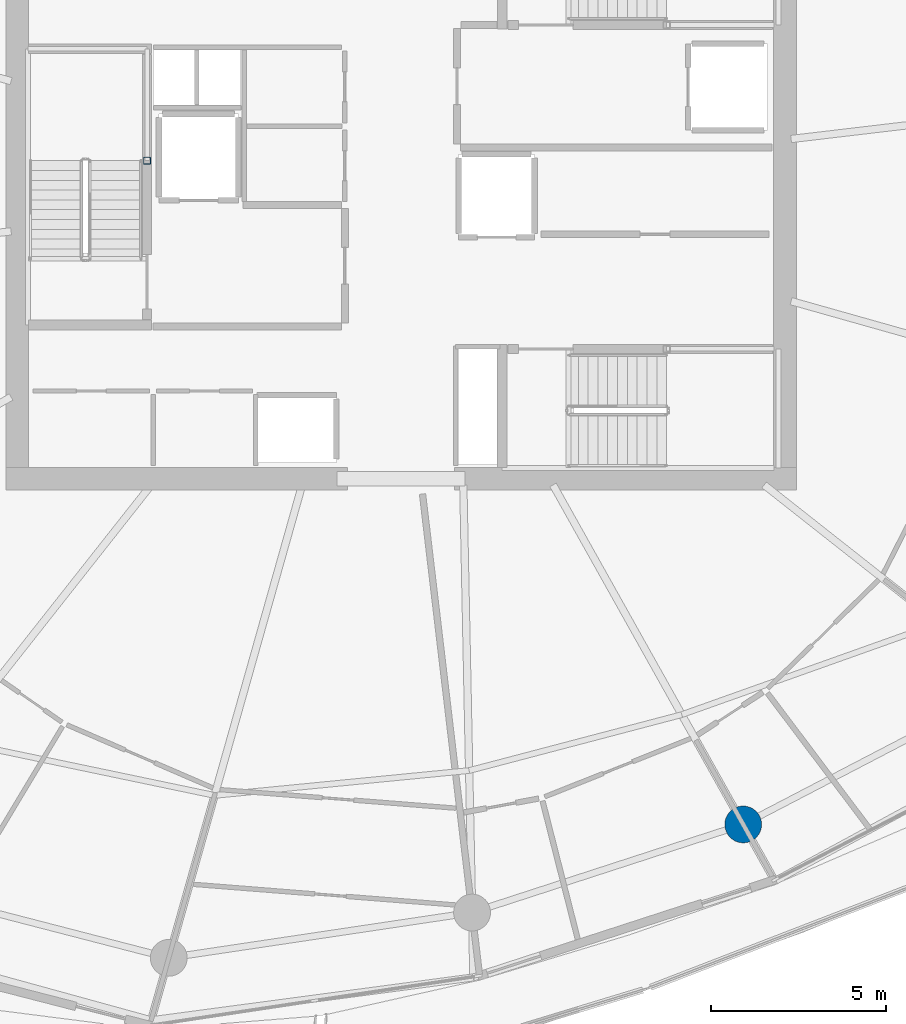
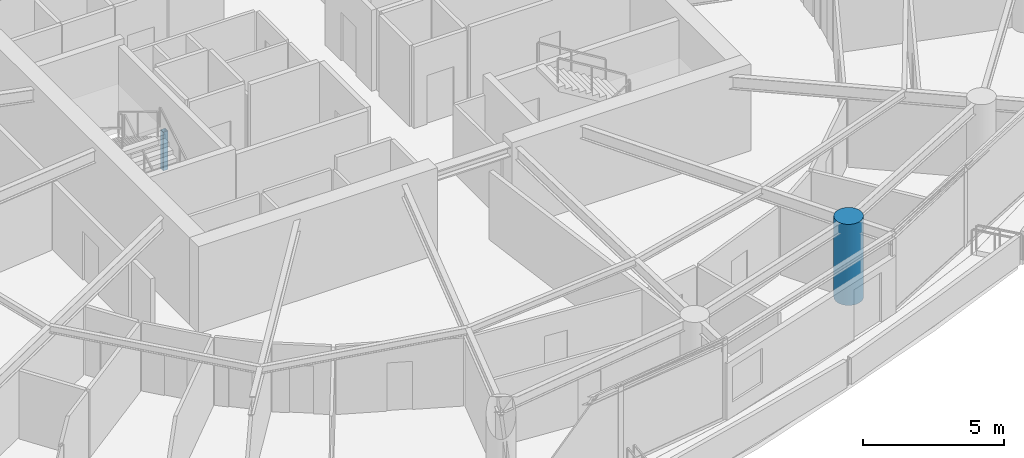
# One storey, part 2 of 20: 2 columns.
"""IFC4 building model written with IfcOpenShell, lengths in metres."""

from ifc_helpers import new_model, si_unit, direction, frame, origin, origin_2d, place, context, subcontext, project, spatial, hollow_rectangle, circle, extrude, material, material_profile, profile_set, type_object, element, save


model = new_model("IFC4")

# Units and contexts
model_context = context("Model", 3, precision=1e-05, world=origin(), true_north=direction((0.0, 1.0)))
body_context = subcontext(model_context, "Body", "Model", "MODEL_VIEW")
ifc_project = project(units=[si_unit("LENGTHUNIT", "METRE"), si_unit("AREAUNIT", "SQUARE_METRE"), si_unit("VOLUMEUNIT", "CUBIC_METRE"), si_unit("PLANEANGLEUNIT", "RADIAN"), si_unit("MASSUNIT", "GRAM", prefix="KILO")], contexts=[model_context])

# Site, building, storey
site_placement = place(None, origin())
site = spatial("IfcSite", under=ifc_project, at=site_placement, CompositionType="ELEMENT")
building_placement = place(site_placement, origin())
building = spatial("IfcBuilding", under=site, at=building_placement, Name="Kazma Halo Residences", CompositionType="ELEMENT")
storey_placement = place(building_placement, frame((0.0, 0.0, 210.300048828125)))
storey = spatial("IfcBuildingStorey", under=building, at=storey_placement, Name="L53", CompositionType="ELEMENT", Elevation=210.300048828125)

# Columns
ifc_material_1 = material(Name="Steel S355", Category="steel")
ifc_material_profile_1 = material_profile(ifc_material_1, hollow_rectangle(XDim=0.199951171875, YDim=0.199951171875, WallThickness=0.010009765625, InnerFilletRadius=0.010009765625, OuterFilletRadius=0.02001953125, at=origin_2d()), Name="SHS200x200x10")
ifc_profile_set_1 = profile_set([ifc_material_profile_1], Name="Steel S355")
column_type_1 = type_object("IfcColumnType", Name="COL-LP-SHS200", PredefinedType="COLUMN", material=ifc_profile_set_1)
column_1_placement = place(storey_placement, frame((41.179931640625, 42.75, 0.0), z_axis=(0.0, 0.0, 1.0), x_axis=(1.0, 0.0, 0.0)))
element("IfcColumn", 1, at=column_1_placement, inside=storey, type_object=column_type_1, Name="L53 ST-01 landing pilaster 1", PredefinedType="COLUMN", context=body_context, shape_type="SweptSolid", body=[
    extrude(hollow_rectangle(XDim=0.199951171875, YDim=0.199951171875, WallThickness=0.010009765625, InnerFilletRadius=0.010009765625, OuterFilletRadius=0.02001953125, at=origin_2d()), origin(), (0.0, 0.0, 1.0), 1.669921875),
])
ifc_material_2 = material(Name="Concrete C80/95", Category="concrete")
ifc_material_profile_2 = material_profile(ifc_material_2, circle(Radius=0.52490234375, at=origin_2d()), Name="CIRC1050")
ifc_profile_set_2 = profile_set([ifc_material_profile_2], Name="Concrete C80/95")
column_type_2 = type_object("IfcColumnType", Name="COL-PERIM-1050", PredefinedType="COLUMN", material=ifc_profile_set_2)
column_2_placement = place(storey_placement, frame((58.184814453125, 23.813720703125, 0.0), z_axis=(0.0, 0.0, 1.0), x_axis=(1.0, 0.0, 0.0)))
element("IfcColumn", 2, at=column_2_placement, inside=storey, type_object=column_type_2, Name="L53 perimeter ring column P13", PredefinedType="COLUMN", context=body_context, shape_type="SweptSolid", body=[
    extrude(circle(Radius=0.52490234375, at=origin_2d()), origin(), (0.0, 0.0, 1.0), 3.5),
])

save(model, "model.ifc")
